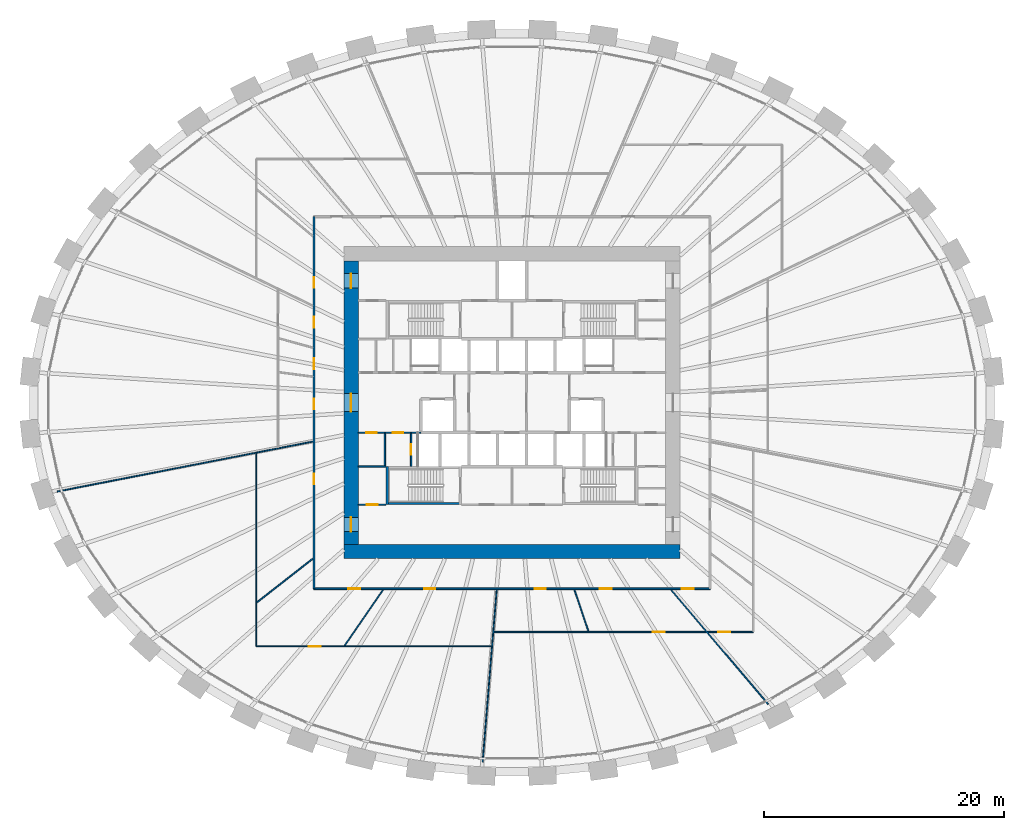
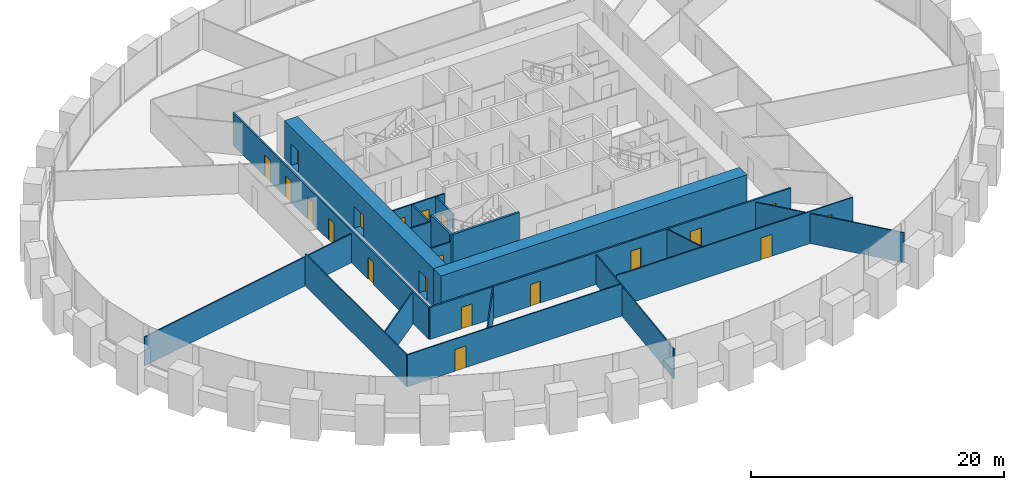
# One storey, part 6 of 11: 20 doors, 20 walls, 20 openings.
"""IFC4 building model written with IfcOpenShell, lengths in metres."""

from ifc_helpers import new_model, si_unit, direction, frame, frame_2d, origin, place, context, subcontext, project, spatial, rectangle, extrude, source, transform, mapped, material, layer, layer_set, type_object, element, fill, save


model = new_model("IFC4")

# Units and contexts
model_context = context("Model", 3, precision=1e-05, world=origin(), true_north=direction((0.0, 1.0)))
body_context = subcontext(model_context, "Body", "Model", "MODEL_VIEW")
ifc_project = project(units=[si_unit("LENGTHUNIT", "METRE"), si_unit("AREAUNIT", "SQUARE_METRE"), si_unit("VOLUMEUNIT", "CUBIC_METRE"), si_unit("PLANEANGLEUNIT", "RADIAN"), si_unit("MASSUNIT", "GRAM", prefix="KILO")], contexts=[model_context])

# Site, building, storey
site_placement = place(None, origin())
site = spatial("IfcSite", under=ifc_project, at=site_placement, CompositionType="ELEMENT")
building_placement = place(site_placement, origin())
building = spatial("IfcBuilding", under=site, at=building_placement, Name="Embergate Tower", CompositionType="ELEMENT")
storey_placement = place(building_placement, frame((0.0, 0.0, 113.300048828125)))
storey = spatial("IfcBuildingStorey", under=building, at=storey_placement, Name="L24", CompositionType="ELEMENT", Elevation=113.300048828125)

# Wall
ifc_material_1 = material(Name="Concrete C80", Category="concrete")
ifc_layer_1 = layer(ifc_material_1, 1.199951171875)
ifc_layer_set_1 = layer_set([ifc_layer_1], Name="Concrete C80")
wall_type_1 = type_object("IfcWallType", Name="Core outer wall C80 1200", PredefinedType="SHEAR", material=ifc_layer_set_1)
shared_shape_1 = source(origin(), body_context, "Body", "SweptSolid", [
    extrude(rectangle(XDim=28.0, YDim=1.199951171875, at=frame_2d((14.0, 0.0))), origin(), (0.0, 0.0, 1.0), 3.89990234375),
])
wall_1_placement = place(storey_placement, frame((-14.0, -12.39990234375, -0.199951171875), z_axis=(0.0, 0.0, 1.0), x_axis=(1.0, 0.0, 0.0)))
element("IfcWall", 1, at=wall_1_placement, inside=storey, type_object=wall_type_1, Name="CW-L24-S", PredefinedType="SHEAR", context=body_context, shape_type="MappedRepresentation", body=[
    mapped(shared_shape_1, transform((0.0, 0.0, 0.0))),
])

# Wall, openings, doors
shared_shape_2 = source(origin(), body_context, "Body", "SweptSolid", [
    extrude(rectangle(XDim=23.60009765625, YDim=1.199951171875, at=frame_2d((11.800048828125, 0.0))), origin(), (0.0, 0.0, 1.0), 3.89990234375),
])
wall_2_placement = place(storey_placement, frame((-13.39990234375, -11.800048828125, -0.199951171875), z_axis=(0.0, 0.0, 1.0), x_axis=(0.0, 1.0, 0.0)))
wall_2 = element("IfcWall", 2, at=wall_2_placement, inside=storey, type_object=wall_type_1, Name="CW-L24-W", PredefinedType="SHEAR", context=body_context, shape_type="MappedRepresentation", body=[
    mapped(shared_shape_2, transform((0.0, 0.0, 0.0))),
])
shared_shape_3 = source(origin(), body_context, "Body", "SweptSolid", [
    extrude(rectangle(XDim=1.199951171875, YDim=2.10009765625, at=frame_2d((0.60009765625, 1.050048828125))), frame((0.0, 0.60986328125, 0.0), z_axis=(0.0, -1.0, 0.0), x_axis=(1.0, 0.0, 0.0)), (0.0, 0.0, 1.0), 1.219970703125),
])
opening_1_placement = place(wall_2_placement, frame((21.35009765625, 0.0, 0.199951171875)))
opening_1 = element("IfcOpeningElement", 3, at=opening_1_placement, cuts=wall_2, Name="Opening IF-1", PredefinedType="OPENING", context=body_context, shape_type="MappedRepresentation", body=[
    mapped(shared_shape_3, transform((0.0, 0.0, 0.0))),
])
opening_2_placement = place(wall_2_placement, frame((1.050048828125, 0.0, 0.199951171875)))
opening_2 = element("IfcOpeningElement", 4, at=opening_2_placement, cuts=wall_2, Name="Opening IF-1", PredefinedType="OPENING", context=body_context, shape_type="MappedRepresentation", body=[
    mapped(shared_shape_3, transform((0.0, 0.0, 0.0))),
])
shared_shape_4 = source(origin(), body_context, "Body", "SweptSolid", [
    extrude(rectangle(XDim=1.5, YDim=2.10009765625, at=frame_2d((0.75, 1.050048828125))), frame((0.0, 0.60986328125, 0.0), z_axis=(0.0, -1.0, 0.0), x_axis=(1.0, 0.0, 0.0)), (0.0, 0.0, 1.0), 1.219970703125),
])
opening_3_placement = place(wall_2_placement, frame((11.050048828125, 0.0, 0.199951171875)))
opening_3 = element("IfcOpeningElement", 5, at=opening_3_placement, cuts=wall_2, Name="Opening IF-3", PredefinedType="OPENING", context=body_context, shape_type="MappedRepresentation", body=[
    mapped(shared_shape_4, transform((0.0, 0.0, 0.0))),
])
ifc_material_2 = material(Name="Escape fire door 1200")
door_type_1 = type_object("IfcDoorType", Name="Escape fire door 1200", OperationType="SINGLE_SWING_LEFT", PredefinedType="DOOR", material=ifc_material_2)
shared_shape_5 = source(origin(), body_context, "Body", "SweptSolid", [
    extrude(rectangle(XDim=1.199951171875, YDim=2.10009765625, at=frame_2d((0.60009765625, 1.050048828125))), frame((0.0, 0.02490234375, 0.0), z_axis=(0.0, -1.0, 0.0), x_axis=(1.0, 0.0, 0.0)), (0.0, 0.0, 1.0), 0.050048828125),
])
door_1_placement = place(opening_1_placement, origin())
door_1 = element("IfcDoor", 6, at=door_1_placement, inside=storey, type_object=door_type_1, Name="IF-1 door", OperationType="SINGLE_SWING_RIGHT", OverallHeight=2.10009765625, OverallWidth=1.199951171875, PredefinedType="DOOR", context=body_context, shape_type="MappedRepresentation", body=[
    mapped(shared_shape_5, transform((0.0, 0.0, 0.0))),
])
fill(opening_1, door_1)
door_2_placement = place(opening_2_placement, origin())
door_2 = element("IfcDoor", 7, at=door_2_placement, inside=storey, type_object=door_type_1, Name="IF-1 door", OperationType="SINGLE_SWING_RIGHT", OverallHeight=2.10009765625, OverallWidth=1.199951171875, PredefinedType="DOOR", context=body_context, shape_type="MappedRepresentation", body=[
    mapped(shared_shape_5, transform((0.0, 0.0, 0.0))),
])
fill(opening_2, door_2)
ifc_material_3 = material(Name="Lobby fire door pair 1500")
door_type_2 = type_object("IfcDoorType", Name="Lobby fire door pair 1500", OperationType="DOUBLE_DOOR_SINGLE_SWING", PredefinedType="DOOR", material=ifc_material_3)
shared_shape_6 = source(origin(), body_context, "Body", "SweptSolid", [
    extrude(rectangle(XDim=1.5, YDim=2.10009765625, at=frame_2d((0.75, 1.050048828125))), frame((0.0, 0.02490234375, 0.0), z_axis=(0.0, -1.0, 0.0), x_axis=(1.0, 0.0, 0.0)), (0.0, 0.0, 1.0), 0.050048828125),
])
door_3_placement = place(opening_3_placement, origin())
door_3 = element("IfcDoor", 8, at=door_3_placement, inside=storey, type_object=door_type_2, Name="IF-3 door", OperationType="DOUBLE_DOOR_SINGLE_SWING", OverallHeight=2.10009765625, OverallWidth=1.5, PredefinedType="DOOR", context=body_context, shape_type="MappedRepresentation", body=[
    mapped(shared_shape_6, transform((0.0, 0.0, 0.0))),
])
fill(opening_3, door_3)

# Walls
ifc_material_4 = material(Name="Concrete C50", Category="concrete")
ifc_layer_2 = layer(ifc_material_4, 0.199951171875)
ifc_layer_set_2 = layer_set([ifc_layer_2], Name="Concrete C50")
wall_type_2 = type_object("IfcWallType", Name="Stair enclosure wall reinforced concrete 250", PredefinedType="SHEAR", material=ifc_layer_set_2)
shared_shape_7 = source(origin(), body_context, "Body", "SweptSolid", [
    extrude(rectangle(XDim=6.300048828125, YDim=0.199951171875, at=frame_2d((3.14990234375, 0.0))), origin(), (0.0, 0.0, 1.0), 3.699951171875),
])
wall_3_placement = place(storey_placement, frame((-10.5, -8.39990234375, 0.0), z_axis=(0.0, 0.0, 1.0), x_axis=(1.0, 0.0, 0.0)))
element("IfcWall", 9, at=wall_3_placement, inside=storey, type_object=wall_type_2, Name="SE-1 wall", PredefinedType="SHEAR", context=body_context, shape_type="MappedRepresentation", body=[
    mapped(shared_shape_7, transform((0.0, 0.0, 0.0))),
])
shared_shape_8 = source(origin(), body_context, "Body", "SweptSolid", [
    extrude(rectangle(XDim=3.199951171875, YDim=0.199951171875, at=frame_2d((1.60009765625, 0.0))), origin(), (0.0, 0.0, 1.0), 3.699951171875),
])
wall_4_placement = place(storey_placement, frame((-10.39990234375, -5.300048828125, 0.0), z_axis=(0.0, 0.0, 1.0), x_axis=(0.0, -1.0, 0.0)))
element("IfcWall", 10, at=wall_4_placement, inside=storey, type_object=wall_type_2, Name="SE-1 wall", PredefinedType="SHEAR", context=body_context, shape_type="MappedRepresentation", body=[
    mapped(shared_shape_8, transform((0.0, 0.0, 0.0))),
])

# Wall, opening, door
ifc_material_5 = material(Name="Core partition blockwork 120")
ifc_layer_3 = layer(ifc_material_5, 0.1201171875)
ifc_layer_set_3 = layer_set([ifc_layer_3], Name="Core partition blockwork 120")
wall_type_3 = type_object("IfcWallType", Name="Core partition blockwork 120", PredefinedType="PARTITIONING", material=ifc_layer_set_3)
shared_shape_9 = source(origin(), body_context, "Body", "SweptSolid", [
    extrude(rectangle(XDim=2.739990234375, YDim=0.1201171875, at=frame_2d((1.3701171875, 0.0))), origin(), (0.0, 0.0, 1.0), 3.099853515625),
])
wall_5_placement = place(storey_placement, frame((-8.39990234375, -2.56005859375, 0.0), z_axis=(0.0, 0.0, 1.0), x_axis=(0.0, -1.0, 0.0)))
wall_5 = element("IfcWall", 11, at=wall_5_placement, inside=storey, type_object=wall_type_3, Name="IP-3 wall", PredefinedType="PARTITIONING", context=body_context, shape_type="MappedRepresentation", body=[
    mapped(shared_shape_9, transform((0.0, 0.0, 0.0))),
])
shared_shape_10 = source(origin(), body_context, "Body", "SweptSolid", [
    extrude(rectangle(XDim=0.89990234375, YDim=2.10009765625, at=frame_2d((0.449951171875, 1.050048828125))), frame((0.0, 0.070068359375, 0.0), z_axis=(0.0, -1.0, 0.0), x_axis=(1.0, 0.0, 0.0)), (0.0, 0.0, 1.0), 0.14013671875),
])
opening_4_placement = place(wall_5_placement, frame((0.889892578125, 0.0, 0.0)))
opening_4 = element("IfcOpeningElement", 12, at=opening_4_placement, cuts=wall_5, Name="Opening ID-1", PredefinedType="OPENING", context=body_context, shape_type="MappedRepresentation", body=[
    mapped(shared_shape_10, transform((0.0, 0.0, 0.0))),
])
ifc_material_6 = material(Name="Interior door 900")
door_type_3 = type_object("IfcDoorType", Name="Interior door 900", OperationType="SINGLE_SWING_LEFT", PredefinedType="DOOR", material=ifc_material_6)
shared_shape_11 = source(origin(), body_context, "Body", "SweptSolid", [
    extrude(rectangle(XDim=0.89990234375, YDim=2.10009765625, at=frame_2d((0.449951171875, 1.050048828125))), frame((0.0, 0.02490234375, 0.0), z_axis=(0.0, -1.0, 0.0), x_axis=(1.0, 0.0, 0.0)), (0.0, 0.0, 1.0), 0.050048828125),
])
door_4_placement = place(opening_4_placement, origin())
door_4 = element("IfcDoor", 13, at=door_4_placement, inside=storey, type_object=door_type_3, Name="ID-1 door", OperationType="SINGLE_SWING_LEFT", OverallHeight=2.10009765625, OverallWidth=0.89990234375, PredefinedType="DOOR", context=body_context, shape_type="MappedRepresentation", body=[
    mapped(shared_shape_11, transform((0.0, 0.0, 0.0))),
])
fill(opening_4, door_4)

# Wall, openings, doors
shared_shape_12 = source(origin(), body_context, "Body", "SweptSolid", [
    extrude(rectangle(XDim=5.199951171875, YDim=0.1201171875, at=frame_2d((2.60009765625, 0.0))), origin(), (0.0, 0.0, 1.0), 3.099853515625),
])
wall_6_placement = place(storey_placement, frame((-7.60009765625, -2.5, 0.0), z_axis=(0.0, 0.0, 1.0), x_axis=(-1.0, 0.0, 0.0)))
wall_6 = element("IfcWall", 14, at=wall_6_placement, inside=storey, type_object=wall_type_3, Name="IP-3 wall", PredefinedType="PARTITIONING", context=body_context, shape_type="MappedRepresentation", body=[
    mapped(shared_shape_12, transform((0.0, 0.0, 0.0))),
])
opening_5_placement = place(wall_6_placement, frame((3.64990234375, 0.0, 0.0)))
opening_5 = element("IfcOpeningElement", 15, at=opening_5_placement, cuts=wall_6, Name="Opening ID-1", PredefinedType="OPENING", context=body_context, shape_type="MappedRepresentation", body=[
    mapped(shared_shape_10, transform((0.0, 0.0, 0.0))),
])
opening_6_placement = place(wall_6_placement, frame((1.449951171875, 0.0, 0.0)))
opening_6 = element("IfcOpeningElement", 16, at=opening_6_placement, cuts=wall_6, Name="Opening ID-1", PredefinedType="OPENING", context=body_context, shape_type="MappedRepresentation", body=[
    mapped(shared_shape_10, transform((0.0, 0.0, 0.0))),
])
door_5_placement = place(opening_5_placement, origin())
door_5 = element("IfcDoor", 17, at=door_5_placement, inside=storey, type_object=door_type_3, Name="ID-1 door", OperationType="SINGLE_SWING_RIGHT", OverallHeight=2.10009765625, OverallWidth=0.89990234375, PredefinedType="DOOR", context=body_context, shape_type="MappedRepresentation", body=[
    mapped(shared_shape_11, transform((0.0, 0.0, 0.0))),
])
fill(opening_5, door_5)
door_6_placement = place(opening_6_placement, origin())
door_6 = element("IfcDoor", 18, at=door_6_placement, inside=storey, type_object=door_type_3, Name="ID-1 door", OperationType="SINGLE_SWING_LEFT", OverallHeight=2.10009765625, OverallWidth=0.89990234375, PredefinedType="DOOR", context=body_context, shape_type="MappedRepresentation", body=[
    mapped(shared_shape_11, transform((0.0, 0.0, 0.0))),
])
fill(opening_6, door_6)

# Wall, opening, door
shared_shape_13 = source(origin(), body_context, "Body", "SweptSolid", [
    extrude(rectangle(XDim=2.300048828125, YDim=0.1201171875, at=frame_2d((1.14990234375, 0.0))), origin(), (0.0, 0.0, 1.0), 3.099853515625),
])
wall_7_placement = place(storey_placement, frame((-10.5, -8.5, 0.0), z_axis=(0.0, 0.0, 1.0), x_axis=(-1.0, 0.0, 0.0)))
wall_7 = element("IfcWall", 19, at=wall_7_placement, inside=storey, type_object=wall_type_3, Name="IP-3 wall", PredefinedType="PARTITIONING", context=body_context, shape_type="MappedRepresentation", body=[
    mapped(shared_shape_13, transform((0.0, 0.0, 0.0))),
])
opening_7_placement = place(wall_7_placement, frame((0.699951171875, 0.0, 0.0)))
opening_7 = element("IfcOpeningElement", 20, at=opening_7_placement, cuts=wall_7, Name="Opening ID-1", PredefinedType="OPENING", context=body_context, shape_type="MappedRepresentation", body=[
    mapped(shared_shape_10, transform((0.0, 0.0, 0.0))),
])
door_7_placement = place(opening_7_placement, origin())
door_7 = element("IfcDoor", 21, at=door_7_placement, inside=storey, type_object=door_type_3, Name="ID-1 door", OperationType="SINGLE_SWING_RIGHT", OverallHeight=2.10009765625, OverallWidth=0.89990234375, PredefinedType="DOOR", context=body_context, shape_type="MappedRepresentation", body=[
    mapped(shared_shape_11, transform((0.0, 0.0, 0.0))),
])
fill(opening_7, door_7)

# Walls
wall_8_placement = place(storey_placement, frame((-12.800048828125, -5.300048828125, 0.0), z_axis=(0.0, 0.0, 1.0), x_axis=(1.0, 0.0, 0.0)))
element("IfcWall", 22, at=wall_8_placement, inside=storey, type_object=wall_type_3, Name="IP-3 wall", PredefinedType="PARTITIONING", context=body_context, shape_type="MappedRepresentation", body=[
    mapped(shared_shape_13, transform((0.0, 0.0, 0.0))),
])
shared_shape_14 = source(origin(), body_context, "Body", "SweptSolid", [
    extrude(rectangle(XDim=2.679931640625, YDim=0.1201171875, at=frame_2d((1.33984375, 0.0))), origin(), (0.0, 0.0, 1.0), 3.099853515625),
])
wall_9_placement = place(storey_placement, frame((-10.60009765625, -5.239990234375, 0.0), z_axis=(0.0, 0.0, 1.0), x_axis=(0.0, 1.0, 0.0)))
element("IfcWall", 23, at=wall_9_placement, inside=storey, type_object=wall_type_3, Name="IP-3 wall", PredefinedType="PARTITIONING", context=body_context, shape_type="MappedRepresentation", body=[
    mapped(shared_shape_14, transform((0.0, 0.0, 0.0))),
])
ifc_material_7 = material(Name="Partition dry-lined 100")
ifc_layer_4 = layer(ifc_material_7, 0.10009765625)
ifc_layer_set_4 = layer_set([ifc_layer_4], Name="Partition dry-lined 100")
wall_type_4 = type_object("IfcWallType", Name="Partition dry-lined 100", PredefinedType="PARTITIONING", material=ifc_layer_set_4)
shared_shape_15 = source(origin(), body_context, "Body", "SweptSolid", [
    extrude(rectangle(XDim=21.7158203125, YDim=0.10009765625, at=frame_2d((10.85791015625, 0.0))), origin(), (0.0, 0.0, 1.0), 2.800048828125),
])
wall_10_placement = place(storey_placement, frame((-37.89794921875, -7.403076171875, 0.0), z_axis=(0.0, 0.0, 1.0), x_axis=(0.981452018893, 0.191707940917, 0.0)))
element("IfcWall", 24, at=wall_10_placement, inside=storey, type_object=wall_type_4, Name="IP-1 wall", PredefinedType="PARTITIONING", context=body_context, shape_type="MappedRepresentation", body=[
    mapped(shared_shape_15, transform((0.0, 0.0, 0.0))),
])
shared_shape_16 = source(origin(), body_context, "Body", "SweptSolid", [
    extrude(rectangle(XDim=14.408935546875, YDim=0.10009765625, at=frame_2d((7.20458984375, 0.0))), origin(), (0.0, 0.0, 1.0), 2.89990234375),
])
wall_11_placement = place(storey_placement, frame((-2.447998046875, -29.93603515625, 0.0), z_axis=(0.0, 0.0, 1.0), x_axis=(0.081481890092, 0.99667482239, 0.0)))
element("IfcWall", 25, at=wall_11_placement, inside=storey, type_object=wall_type_4, Name="IP-1 wall", PredefinedType="PARTITIONING", context=body_context, shape_type="MappedRepresentation", body=[
    mapped(shared_shape_16, transform((0.0, 0.0, 0.0))),
])
shared_shape_17 = source(origin(), body_context, "Body", "SweptSolid", [
    extrude(rectangle(XDim=12.4912109375, YDim=0.10009765625, at=frame_2d((6.24560546875, 0.0))), origin(), (0.0, 0.0, 1.0), 2.89990234375),
])
wall_12_placement = place(storey_placement, frame((21.35009765625, -25.1259765625, 0.0), z_axis=(0.0, 0.0, 1.0), x_axis=(-0.647506572821, 0.762059865203, 0.0)))
element("IfcWall", 26, at=wall_12_placement, inside=storey, type_object=wall_type_4, Name="IP-1 wall", PredefinedType="PARTITIONING", context=body_context, shape_type="MappedRepresentation", body=[
    mapped(shared_shape_17, transform((0.0, 0.0, 0.0))),
])

# Wall, openings, doors
ifc_material_8 = material(Name="Corridor wall dry-lined 150")
ifc_layer_5 = layer(ifc_material_8, 0.14990234375)
ifc_layer_set_5 = layer_set([ifc_layer_5], Name="Corridor wall dry-lined 150")
wall_type_5 = type_object("IfcWallType", Name="Corridor wall dry-lined 150", PredefinedType="PARTITIONING", material=ifc_layer_set_5)
shared_shape_18 = source(origin(), body_context, "Body", "SweptSolid", [
    extrude(rectangle(XDim=31.0, YDim=0.14990234375, at=frame_2d((15.5, 0.0))), origin(), (0.0, 0.0, 1.0), 3.099853515625),
])
wall_13_placement = place(storey_placement, frame((-16.5, -15.5, 0.0), z_axis=(0.0, 0.0, 1.0), x_axis=(0.0, 1.0, 0.0)))
wall_13 = element("IfcWall", 27, at=wall_13_placement, inside=storey, type_object=wall_type_5, Name="IP-2 wall", PredefinedType="PARTITIONING", context=body_context, shape_type="MappedRepresentation", body=[
    mapped(shared_shape_18, transform((0.0, 0.0, 0.0))),
])
shared_shape_19 = source(origin(), body_context, "Body", "SweptSolid", [
    extrude(rectangle(XDim=0.89990234375, YDim=2.10009765625, at=frame_2d((0.449951171875, 1.050048828125))), frame((0.0, 0.0849609375, 0.0), z_axis=(0.0, -1.0, 0.0), x_axis=(1.0, 0.0, 0.0)), (0.0, 0.0, 1.0), 0.169921875),
])
opening_8_placement = place(wall_13_placement, frame((8.699951171875, 0.0, 0.0)))
opening_8 = element("IfcOpeningElement", 28, at=opening_8_placement, cuts=wall_13, Name="Opening IF-1c", PredefinedType="OPENING", context=body_context, shape_type="MappedRepresentation", body=[
    mapped(shared_shape_19, transform((0.0, 0.0, 0.0))),
])
opening_9_placement = place(wall_13_placement, frame((25.068115234375, 0.0, 0.0)))
opening_9 = element("IfcOpeningElement", 29, at=opening_9_placement, cuts=wall_13, Name="Opening IF-1c", PredefinedType="OPENING", context=body_context, shape_type="MappedRepresentation", body=[
    mapped(shared_shape_19, transform((0.0, 0.0, 0.0))),
])
opening_10_placement = place(wall_13_placement, frame((21.759033203125, 0.0, 0.0)))
opening_10 = element("IfcOpeningElement", 30, at=opening_10_placement, cuts=wall_13, Name="Opening IF-1c", PredefinedType="OPENING", context=body_context, shape_type="MappedRepresentation", body=[
    mapped(shared_shape_19, transform((0.0, 0.0, 0.0))),
])
opening_11_placement = place(wall_13_placement, frame((18.30908203125, 0.0, 0.0)))
opening_11 = element("IfcOpeningElement", 31, at=opening_11_placement, cuts=wall_13, Name="Opening IF-1c", PredefinedType="OPENING", context=body_context, shape_type="MappedRepresentation", body=[
    mapped(shared_shape_19, transform((0.0, 0.0, 0.0))),
])
opening_12_placement = place(wall_13_placement, frame((14.944091796875, 0.0, 0.0)))
opening_12 = element("IfcOpeningElement", 32, at=opening_12_placement, cuts=wall_13, Name="Opening IF-1c", PredefinedType="OPENING", context=body_context, shape_type="MappedRepresentation", body=[
    mapped(shared_shape_19, transform((0.0, 0.0, 0.0))),
])
ifc_material_9 = material(Name="Escape fire door 900")
door_type_4 = type_object("IfcDoorType", Name="Escape fire door 900", OperationType="SINGLE_SWING_LEFT", PredefinedType="DOOR", material=ifc_material_9)
door_8_placement = place(opening_8_placement, origin())
door_8 = element("IfcDoor", 33, at=door_8_placement, inside=storey, type_object=door_type_4, Name="IF-1 door", OperationType="SINGLE_SWING_LEFT", OverallHeight=2.10009765625, OverallWidth=0.89990234375, PredefinedType="DOOR", context=body_context, shape_type="MappedRepresentation", body=[
    mapped(shared_shape_11, transform((0.0, 0.0, 0.0))),
])
fill(opening_8, door_8)
door_9_placement = place(opening_9_placement, origin())
door_9 = element("IfcDoor", 34, at=door_9_placement, inside=storey, type_object=door_type_4, Name="IF-1 door", OperationType="SINGLE_SWING_LEFT", OverallHeight=2.10009765625, OverallWidth=0.89990234375, PredefinedType="DOOR", context=body_context, shape_type="MappedRepresentation", body=[
    mapped(shared_shape_11, transform((0.0, 0.0, 0.0))),
])
fill(opening_9, door_9)
door_10_placement = place(opening_10_placement, origin())
door_10 = element("IfcDoor", 35, at=door_10_placement, inside=storey, type_object=door_type_4, Name="IF-1 door", OperationType="SINGLE_SWING_RIGHT", OverallHeight=2.10009765625, OverallWidth=0.89990234375, PredefinedType="DOOR", context=body_context, shape_type="MappedRepresentation", body=[
    mapped(shared_shape_11, transform((0.0, 0.0, 0.0))),
])
fill(opening_10, door_10)
door_11_placement = place(opening_11_placement, origin())
door_11 = element("IfcDoor", 36, at=door_11_placement, inside=storey, type_object=door_type_4, Name="IF-1 door", OperationType="SINGLE_SWING_RIGHT", OverallHeight=2.10009765625, OverallWidth=0.89990234375, PredefinedType="DOOR", context=body_context, shape_type="MappedRepresentation", body=[
    mapped(shared_shape_11, transform((0.0, 0.0, 0.0))),
])
fill(opening_11, door_11)
door_12_placement = place(opening_12_placement, origin())
door_12 = element("IfcDoor", 37, at=door_12_placement, inside=storey, type_object=door_type_4, Name="IF-1 door", OperationType="SINGLE_SWING_RIGHT", OverallHeight=2.10009765625, OverallWidth=0.89990234375, PredefinedType="DOOR", context=body_context, shape_type="MappedRepresentation", body=[
    mapped(shared_shape_11, transform((0.0, 0.0, 0.0))),
])
fill(opening_12, door_12)

shared_shape_20 = source(origin(), body_context, "Body", "SweptSolid", [
    extrude(rectangle(XDim=33.0, YDim=0.14990234375, at=frame_2d((16.5, 0.0))), origin(), (0.0, 0.0, 1.0), 3.099853515625),
])
wall_14_placement = place(storey_placement, frame((16.5, -15.5, 0.0), z_axis=(0.0, 0.0, 1.0), x_axis=(-1.0, 0.0, 0.0)))
wall_14 = element("IfcWall", 38, at=wall_14_placement, inside=storey, type_object=wall_type_5, Name="IP-2 wall", PredefinedType="PARTITIONING", context=body_context, shape_type="MappedRepresentation", body=[
    mapped(shared_shape_20, transform((0.0, 0.0, 0.0))),
])
shared_shape_21 = source(origin(), body_context, "Body", "SweptSolid", [
    extrude(rectangle(XDim=1.0, YDim=2.10009765625, at=frame_2d((0.5, 1.050048828125))), frame((0.0, 0.0849609375, 0.0), z_axis=(0.0, -1.0, 0.0), x_axis=(1.0, 0.0, 0.0)), (0.0, 0.0, 1.0), 0.169921875),
])
opening_13_placement = place(wall_14_placement, frame((29.1279296875, 0.0, 0.0)))
opening_13 = element("IfcOpeningElement", 39, at=opening_13_placement, cuts=wall_14, Name="Opening ID-2", PredefinedType="OPENING", context=body_context, shape_type="MappedRepresentation", body=[
    mapped(shared_shape_21, transform((0.0, 0.0, 0.0))),
])
opening_14_placement = place(wall_14_placement, frame((22.89599609375, 0.0, 0.0)))
opening_14 = element("IfcOpeningElement", 40, at=opening_14_placement, cuts=wall_14, Name="Opening IF-1c", PredefinedType="OPENING", context=body_context, shape_type="MappedRepresentation", body=[
    mapped(shared_shape_19, transform((0.0, 0.0, 0.0))),
])
opening_15_placement = place(wall_14_placement, frame((13.698974609375, 0.0, 0.0)))
opening_15 = element("IfcOpeningElement", 41, at=opening_15_placement, cuts=wall_14, Name="Opening IF-1c", PredefinedType="OPENING", context=body_context, shape_type="MappedRepresentation", body=[
    mapped(shared_shape_19, transform((0.0, 0.0, 0.0))),
])
opening_16_placement = place(wall_14_placement, frame((8.16796875, 0.0, 0.0)))
opening_16 = element("IfcOpeningElement", 42, at=opening_16_placement, cuts=wall_14, Name="Opening ID-2", PredefinedType="OPENING", context=body_context, shape_type="MappedRepresentation", body=[
    mapped(shared_shape_21, transform((0.0, 0.0, 0.0))),
])
opening_17_placement = place(wall_14_placement, frame((1.35498046875, 0.0, 0.0)))
opening_17 = element("IfcOpeningElement", 43, at=opening_17_placement, cuts=wall_14, Name="Opening ID-2", PredefinedType="OPENING", context=body_context, shape_type="MappedRepresentation", body=[
    mapped(shared_shape_21, transform((0.0, 0.0, 0.0))),
])
door_13_placement = place(opening_14_placement, origin())
door_13 = element("IfcDoor", 44, at=door_13_placement, inside=storey, type_object=door_type_4, Name="IF-1 door", OperationType="SINGLE_SWING_RIGHT", OverallHeight=2.10009765625, OverallWidth=0.89990234375, PredefinedType="DOOR", context=body_context, shape_type="MappedRepresentation", body=[
    mapped(shared_shape_11, transform((0.0, 0.0, 0.0))),
])
fill(opening_14, door_13)
door_14_placement = place(opening_15_placement, origin())
door_14 = element("IfcDoor", 45, at=door_14_placement, inside=storey, type_object=door_type_4, Name="IF-1 door", OperationType="SINGLE_SWING_LEFT", OverallHeight=2.10009765625, OverallWidth=0.89990234375, PredefinedType="DOOR", context=body_context, shape_type="MappedRepresentation", body=[
    mapped(shared_shape_11, transform((0.0, 0.0, 0.0))),
])
fill(opening_15, door_14)
ifc_material_10 = material(Name="Interior door 1000")
door_type_5 = type_object("IfcDoorType", Name="Interior door 1000", OperationType="SINGLE_SWING_LEFT", PredefinedType="DOOR", material=ifc_material_10)
shared_shape_22 = source(origin(), body_context, "Body", "SweptSolid", [
    extrude(rectangle(XDim=1.0, YDim=2.10009765625, at=frame_2d((0.5, 1.050048828125))), frame((0.0, 0.02490234375, 0.0), z_axis=(0.0, -1.0, 0.0), x_axis=(1.0, 0.0, 0.0)), (0.0, 0.0, 1.0), 0.050048828125),
])
door_15_placement = place(opening_13_placement, origin())
door_15 = element("IfcDoor", 46, at=door_15_placement, inside=storey, type_object=door_type_5, Name="ID-2 door", OperationType="SINGLE_SWING_LEFT", OverallHeight=2.10009765625, OverallWidth=1.0, PredefinedType="DOOR", context=body_context, shape_type="MappedRepresentation", body=[
    mapped(shared_shape_22, transform((0.0, 0.0, 0.0))),
])
fill(opening_13, door_15)
door_16_placement = place(opening_16_placement, origin())
door_16 = element("IfcDoor", 47, at=door_16_placement, inside=storey, type_object=door_type_5, Name="ID-2 door", OperationType="SINGLE_SWING_LEFT", OverallHeight=2.10009765625, OverallWidth=1.0, PredefinedType="DOOR", context=body_context, shape_type="MappedRepresentation", body=[
    mapped(shared_shape_22, transform((0.0, 0.0, 0.0))),
])
fill(opening_16, door_16)
door_17_placement = place(opening_17_placement, origin())
door_17 = element("IfcDoor", 48, at=door_17_placement, inside=storey, type_object=door_type_5, Name="ID-2 door", OperationType="SINGLE_SWING_LEFT", OverallHeight=2.10009765625, OverallWidth=1.0, PredefinedType="DOOR", context=body_context, shape_type="MappedRepresentation", body=[
    mapped(shared_shape_22, transform((0.0, 0.0, 0.0))),
])
fill(opening_17, door_17)

# Walls
shared_shape_23 = source(origin(), body_context, "Body", "SweptSolid", [
    extrude(rectangle(XDim=5.859619140625, YDim=0.10009765625, at=frame_2d((2.9296875, 0.0))), origin(), (0.0, 0.0, 1.0), 3.099853515625),
])
wall_15_placement = place(storey_placement, frame((-16.60595703125, -13.001953125, 0.0), z_axis=(0.0, 0.0, 1.0), x_axis=(-0.787270190611, -0.616608179458, 0.0)))
element("IfcWall", 49, at=wall_15_placement, inside=storey, type_object=wall_type_4, Name="IP-1 wall", PredefinedType="PARTITIONING", context=body_context, shape_type="MappedRepresentation", body=[
    mapped(shared_shape_23, transform((0.0, 0.0, 0.0))),
])
shared_shape_24 = source(origin(), body_context, "Body", "SweptSolid", [
    extrude(rectangle(XDim=16.0791015625, YDim=0.10009765625, at=frame_2d((8.03955078125, 0.0))), origin(), (0.0, 0.0, 1.0), 3.099853515625),
])
wall_16_placement = place(storey_placement, frame((-21.300048828125, -4.220947265625, 0.0), z_axis=(0.0, 0.0, 1.0), x_axis=(0.0, -1.0, 0.0)))
element("IfcWall", 50, at=wall_16_placement, inside=storey, type_object=wall_type_4, Name="IP-1 wall", PredefinedType="PARTITIONING", context=body_context, shape_type="MappedRepresentation", body=[
    mapped(shared_shape_24, transform((0.0, 0.0, 0.0))),
])
shared_shape_25 = source(origin(), body_context, "Body", "SweptSolid", [
    extrude(rectangle(XDim=5.609375, YDim=0.10009765625, at=frame_2d((2.8046875, 0.0))), origin(), (0.0, 0.0, 1.0), 3.099853515625),
])
wall_17_placement = place(storey_placement, frame((-10.7548828125, -15.60302734375, 0.0), z_axis=(0.0, 0.0, 1.0), x_axis=(-0.567450181978, -0.823407730698, 0.0)))
element("IfcWall", 51, at=wall_17_placement, inside=storey, type_object=wall_type_4, Name="IP-1 wall", PredefinedType="PARTITIONING", context=body_context, shape_type="MappedRepresentation", body=[
    mapped(shared_shape_25, transform((0.0, 0.0, 0.0))),
])

# Wall, opening, door
shared_shape_26 = source(origin(), body_context, "Body", "SweptSolid", [
    extrude(rectangle(XDim=19.590087890625, YDim=0.10009765625, at=frame_2d((9.794921875, 0.0))), origin(), (0.0, 0.0, 1.0), 3.099853515625),
])
wall_18_placement = place(storey_placement, frame((-1.7099609375, -20.300048828125, 0.0), z_axis=(0.0, 0.0, 1.0), x_axis=(-1.0, 0.0, 0.0)))
wall_18 = element("IfcWall", 52, at=wall_18_placement, inside=storey, type_object=wall_type_4, Name="IP-1 wall", PredefinedType="PARTITIONING", context=body_context, shape_type="MappedRepresentation", body=[
    mapped(shared_shape_26, transform((0.0, 0.0, 0.0))),
])
shared_shape_27 = source(origin(), body_context, "Body", "SweptSolid", [
    extrude(rectangle(XDim=1.0, YDim=2.10009765625, at=frame_2d((0.5, 1.050048828125))), frame((0.0, 0.06005859375, 0.0), z_axis=(0.0, -1.0, 0.0), x_axis=(1.0, 0.0, 0.0)), (0.0, 0.0, 1.0), 0.1201171875),
])
opening_18_placement = place(wall_18_placement, frame((14.23681640625, 0.0, 0.0)))
opening_18 = element("IfcOpeningElement", 53, at=opening_18_placement, cuts=wall_18, Name="Opening ID-2", PredefinedType="OPENING", context=body_context, shape_type="MappedRepresentation", body=[
    mapped(shared_shape_27, transform((0.0, 0.0, 0.0))),
])
door_18_placement = place(opening_18_placement, origin())
door_18 = element("IfcDoor", 54, at=door_18_placement, inside=storey, type_object=door_type_5, Name="ID-2 door", OperationType="SINGLE_SWING_RIGHT", OverallHeight=2.10009765625, OverallWidth=1.0, PredefinedType="DOOR", context=body_context, shape_type="MappedRepresentation", body=[
    mapped(shared_shape_22, transform((0.0, 0.0, 0.0))),
])
fill(opening_18, door_18)

# Wall
shared_shape_28 = source(origin(), body_context, "Body", "SweptSolid", [
    extrude(rectangle(XDim=3.6298828125, YDim=0.10009765625, at=frame_2d((1.81494140625, 0.0))), origin(), (0.0, 0.0, 1.0), 3.099853515625),
])
wall_19_placement = place(storey_placement, frame((5.2080078125, -15.591064453125, 0.0), z_axis=(0.0, 0.0, 1.0), x_axis=(0.316792690533, -0.948494802951, 0.0)))
element("IfcWall", 55, at=wall_19_placement, inside=storey, type_object=wall_type_4, Name="IP-1 wall", PredefinedType="PARTITIONING", context=body_context, shape_type="MappedRepresentation", body=[
    mapped(shared_shape_28, transform((0.0, 0.0, 0.0))),
])

# Wall, openings, doors
shared_shape_29 = source(origin(), body_context, "Body", "SweptSolid", [
    extrude(rectangle(XDim=21.612060546875, YDim=0.10009765625, at=frame_2d((10.80615234375, 0.0))), origin(), (0.0, 0.0, 1.0), 3.099853515625),
])
wall_20_placement = place(storey_placement, frame((20.10009765625, -19.10009765625, 0.0), z_axis=(0.0, 0.0, 1.0), x_axis=(-1.0, 0.0, 0.0)))
wall_20 = element("IfcWall", 56, at=wall_20_placement, inside=storey, type_object=wall_type_4, Name="IP-1 wall", PredefinedType="PARTITIONING", context=body_context, shape_type="MappedRepresentation", body=[
    mapped(shared_shape_29, transform((0.0, 0.0, 0.0))),
])
opening_19_placement = place(wall_20_placement, frame((7.387939453125, 0.0, 0.0)))
opening_19 = element("IfcOpeningElement", 57, at=opening_19_placement, cuts=wall_20, Name="Opening ID-2", PredefinedType="OPENING", context=body_context, shape_type="MappedRepresentation", body=[
    mapped(shared_shape_27, transform((0.0, 0.0, 0.0))),
])
opening_20_placement = place(wall_20_placement, frame((1.912109375, 0.0, 0.0)))
opening_20 = element("IfcOpeningElement", 58, at=opening_20_placement, cuts=wall_20, Name="Opening ID-2", PredefinedType="OPENING", context=body_context, shape_type="MappedRepresentation", body=[
    mapped(shared_shape_27, transform((0.0, 0.0, 0.0))),
])
door_19_placement = place(opening_19_placement, origin())
door_19 = element("IfcDoor", 59, at=door_19_placement, inside=storey, type_object=door_type_5, Name="ID-2 door", OperationType="SINGLE_SWING_LEFT", OverallHeight=2.10009765625, OverallWidth=1.0, PredefinedType="DOOR", context=body_context, shape_type="MappedRepresentation", body=[
    mapped(shared_shape_22, transform((0.0, 0.0, 0.0))),
])
fill(opening_19, door_19)
door_20_placement = place(opening_20_placement, origin())
door_20 = element("IfcDoor", 60, at=door_20_placement, inside=storey, type_object=door_type_5, Name="ID-2 door", OperationType="SINGLE_SWING_RIGHT", OverallHeight=2.10009765625, OverallWidth=1.0, PredefinedType="DOOR", context=body_context, shape_type="MappedRepresentation", body=[
    mapped(shared_shape_22, transform((0.0, 0.0, 0.0))),
])
fill(opening_20, door_20)

save(model, "model.ifc")
